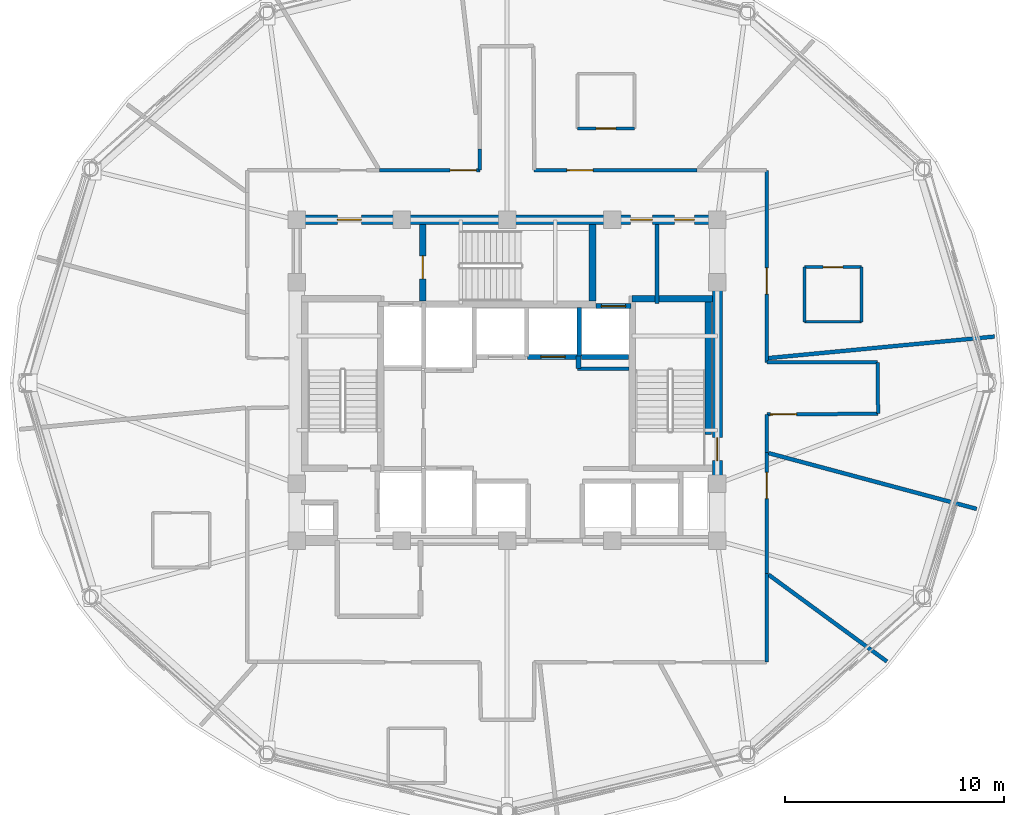
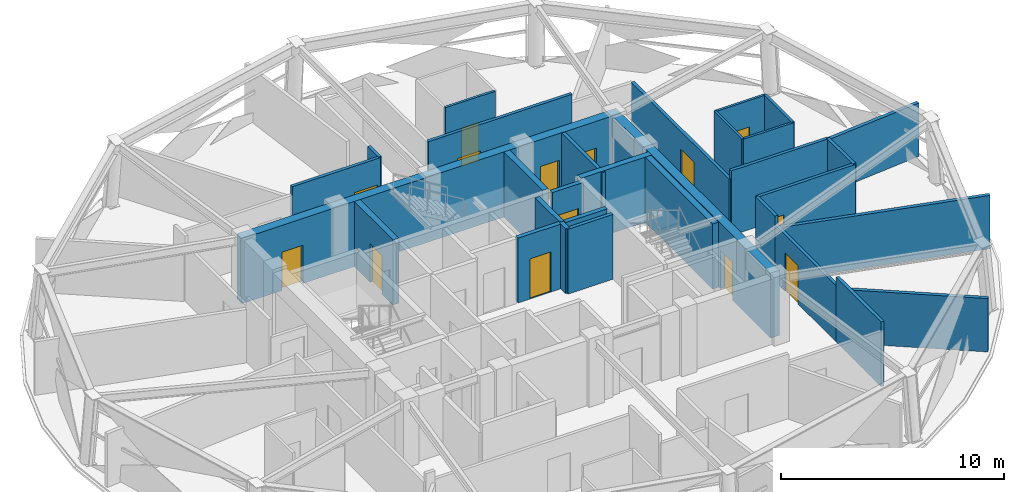
# One storey, part 6 of 11: 31 walls, 14 doors, 14 openings.
"""IFC4 building model written with IfcOpenShell, lengths in metres."""

from ifc_helpers import new_model, si_unit, direction, frame, frame_2d, origin, place, context, subcontext, project, spatial, rectangle, extrude, material, layer, layer_set, type_object, element, fill, save


model = new_model("IFC4")

# Units and contexts
model_context = context("Model", 3, precision=1e-05, world=origin(), true_north=direction((0.0, 1.0)))
body_context = subcontext(model_context, "Body", "Model", "MODEL_VIEW")
ifc_project = project(units=[si_unit("LENGTHUNIT", "METRE"), si_unit("AREAUNIT", "SQUARE_METRE"), si_unit("VOLUMEUNIT", "CUBIC_METRE"), si_unit("PLANEANGLEUNIT", "RADIAN"), si_unit("MASSUNIT", "GRAM", prefix="KILO")], contexts=[model_context])

# Site, building, storey
site_placement = place(None, origin())
site = spatial("IfcSite", under=ifc_project, at=site_placement, CompositionType="ELEMENT")
building_placement = place(site_placement, origin())
building = spatial("IfcBuilding", under=site, at=building_placement, Name="Vantalir Tower", CompositionType="ELEMENT")
storey_placement = place(building_placement, frame((0.0, 0.0, 231.14990234375)))
storey = spatial("IfcBuildingStorey", under=building, at=storey_placement, Name="L58", CompositionType="ELEMENT", Elevation=231.14990234375)

# Wall
ifc_material_1 = material(Name="Moisture-resistant en-suite partition", Category="gypsum")
ifc_layer_1 = layer(ifc_material_1, 0.125)
ifc_layer_set_1 = layer_set([ifc_layer_1], Name="Moisture-resistant en-suite partition")
wall_type_1 = type_object("IfcWallType", Name="WL-BATH-125", PredefinedType="PARTITIONING", material=ifc_layer_set_1)
wall_1_placement = place(storey_placement, frame((45.077880859375, 27.7890625, 0.0), z_axis=(0.0, 0.0, 1.0), x_axis=(1.0, 0.0, 0.0)))
element("IfcWall", 1, at=wall_1_placement, inside=storey, type_object=wall_type_1, Name="L58 En-suite 01 South Wall", PredefinedType="PARTITIONING", context=body_context, shape_type="SweptSolid", body=[
    extrude(rectangle(XDim=2.60009765625, YDim=0.125, at=frame_2d((1.300048828125, 0.0))), origin(), (0.0, 0.0, 1.0), 3.550048828125),
])

# Wall, opening, door
wall_2_placement = place(storey_placement, frame((45.077880859375, 30.2890625, 0.0), z_axis=(0.0, 0.0, 1.0), x_axis=(1.0, 0.0, 0.0)))
wall_2 = element("IfcWall", 2, at=wall_2_placement, inside=storey, type_object=wall_type_1, Name="L58 En-suite 01 North Wall", PredefinedType="PARTITIONING", context=body_context, shape_type="SweptSolid", body=[
    extrude(rectangle(XDim=2.60009765625, YDim=0.125, at=frame_2d((1.300048828125, 0.0))), origin(), (0.0, 0.0, 1.0), 3.550048828125),
])
opening_1_placement = place(wall_2_placement, frame((0.85009765625, 0.0, 0.0)))
opening_1 = element("IfcOpeningElement", 3, at=opening_1_placement, cuts=wall_2, Name="Opening D-WC", PredefinedType="OPENING", context=body_context, shape_type="SweptSolid", body=[
    extrude(rectangle(XDim=0.89990234375, YDim=2.10009765625, at=frame_2d((0.449951171875, 1.050048828125))), frame((0.0, 0.072509765625, 0.0), z_axis=(0.0, -1.0, 0.0), x_axis=(1.0, 0.0, 0.0)), (0.0, 0.0, 1.0), 0.14501953125),
])
ifc_material_2 = material(Name="Moisture-resistant hardwood door", Category="wood")
door_type_1 = type_object("IfcDoorType", Name="DR-ENSUITE-900", OperationType="NOTDEFINED", PredefinedType="DOOR", material=ifc_material_2)
door_1_placement = place(opening_1_placement, frame((0.89990234375, 0.0, 0.0), z_axis=(0.0, 0.0, 1.0), x_axis=(-1.0, 0.0, 0.0)))
door_1 = element("IfcDoor", 4, at=door_1_placement, inside=storey, type_object=door_type_1, Name="L58 En-suite 01 Door", OperationType="SINGLE_SWING_RIGHT", OverallHeight=2.10009765625, OverallWidth=0.89990234375, PredefinedType="DOOR", context=body_context, shape_type="SweptSolid", body=[
    extrude(rectangle(XDim=0.89990234375, YDim=2.10009765625, at=frame_2d((0.449951171875, 1.050048828125))), frame((0.0, 0.02490234375, 0.0), z_axis=(0.0, -1.0, 0.0), x_axis=(1.0, 0.0, 0.0)), (0.0, 0.0, 1.0), 0.050048828125),
])
fill(opening_1, door_1)

# Walls
for number, where, z_axis, x_axis, name in (
    (5, (45.077880859375, 27.7890625, 0.0), (0.0, 0.0, 1.0), (0.0, 1.0, 0.0), "L58 En-suite 01 West Wall"),
    (6, (47.677978515625, 27.7890625, 0.0), (0.0, 0.0, 1.0), (0.0, 1.0, 0.0), "L58 En-suite 01 East Wall"),
):
    element("IfcWall", number, at=place(storey_placement, frame(where, z_axis=z_axis, x_axis=x_axis)), inside=storey, type_object=wall_type_1, Name=name, PredefinedType="PARTITIONING", context=body_context, shape_type="SweptSolid", body=[
        extrude(rectangle(XDim=2.5, YDim=0.125, at=frame_2d((1.25, 0.0))), origin(), (0.0, 0.0, 1.0), 3.550048828125),
    ])

# Wall, opening, door
wall_3_placement = place(storey_placement, frame((34.720947265625, 36.614990234375, 0.0), z_axis=(0.0, 0.0, 1.0), x_axis=(1.0, 0.0, 0.0)))
wall_3 = element("IfcWall", 7, at=wall_3_placement, inside=storey, type_object=wall_type_1, Name="L58 En-suite 02 South Wall", PredefinedType="PARTITIONING", context=body_context, shape_type="SweptSolid", body=[
    extrude(rectangle(XDim=2.60009765625, YDim=0.125, at=frame_2d((1.300048828125, 0.0))), origin(), (0.0, 0.0, 1.0), 3.550048828125),
])
opening_2_placement = place(wall_3_placement, frame((0.85009765625, 0.0, 0.0)))
opening_2 = element("IfcOpeningElement", 8, at=opening_2_placement, cuts=wall_3, Name="Opening D-WC", PredefinedType="OPENING", context=body_context, shape_type="SweptSolid", body=[
    extrude(rectangle(XDim=0.89990234375, YDim=2.10009765625, at=frame_2d((0.449951171875, 1.050048828125))), frame((0.0, 0.072509765625, 0.0), z_axis=(0.0, -1.0, 0.0), x_axis=(1.0, 0.0, 0.0)), (0.0, 0.0, 1.0), 0.14501953125),
])
door_2_placement = place(opening_2_placement, origin())
door_2 = element("IfcDoor", 9, at=door_2_placement, inside=storey, type_object=door_type_1, Name="L58 En-suite 02 Door", OperationType="SINGLE_SWING_LEFT", OverallHeight=2.10009765625, OverallWidth=0.89990234375, PredefinedType="DOOR", context=body_context, shape_type="SweptSolid", body=[
    extrude(rectangle(XDim=0.89990234375, YDim=2.10009765625, at=frame_2d((0.449951171875, 1.050048828125))), frame((0.0, 0.02490234375, 0.0), z_axis=(0.0, -1.0, 0.0), x_axis=(1.0, 0.0, 0.0)), (0.0, 0.0, 1.0), 0.050048828125),
])
fill(opening_2, door_2)

# Wall, openings, doors
ifc_material_3 = material(Name="Concrete C50/60", Category="concrete")
ifc_layer_2 = layer(ifc_material_3, 0.449951171875)
ifc_layer_set_2 = layer_set([ifc_layer_2], Name="Concrete C50/60")
wall_type_2 = type_object("IfcWallType", Name="WL-CORE-450", PredefinedType="SHEAR", material=ifc_layer_set_2)
wall_4_placement = place(storey_placement, frame((21.675048828125, 32.449951171875, 0.0), z_axis=(0.0, 0.0, 1.0), x_axis=(1.0, 0.0, 0.0)))
wall_4 = element("IfcWall", 10, at=wall_4_placement, inside=storey, type_object=wall_type_2, Name="L58 Core Shear Wall North", PredefinedType="SHEAR", context=body_context, shape_type="SweptSolid", body=[
    extrude(rectangle(XDim=19.64990234375, YDim=0.449951171875, at=frame_2d((9.824951171875, 0.0))), origin(), (0.0, 0.0, 1.0), 3.570068359375),
])
opening_3_placement = place(wall_4_placement, frame((2.074951171875, 0.0, 0.0)))
opening_3 = element("IfcOpeningElement", 11, at=opening_3_placement, cuts=wall_4, Name="Opening D-FFL", PredefinedType="OPENING", context=body_context, shape_type="SweptSolid", body=[
    extrude(rectangle(XDim=1.10009765625, YDim=2.10009765625, at=frame_2d((0.550048828125, 1.050048828125))), frame((0.0, 0.23486328125, 0.0), z_axis=(0.0, -1.0, 0.0), x_axis=(1.0, 0.0, 0.0)), (0.0, 0.0, 1.0), 0.469970703125),
])
opening_4_placement = place(wall_4_placement, frame((15.465087890625, 0.0, 0.0)))
opening_4 = element("IfcOpeningElement", 12, at=opening_4_placement, cuts=wall_4, Name="Opening D-GUEST", PredefinedType="OPENING", context=body_context, shape_type="SweptSolid", body=[
    extrude(rectangle(XDim=1.0, YDim=2.10009765625, at=frame_2d((0.5, 1.050048828125))), frame((0.0, 0.23486328125, 0.0), z_axis=(0.0, -1.0, 0.0), x_axis=(1.0, 0.0, 0.0)), (0.0, 0.0, 1.0), 0.469970703125),
])
opening_5_placement = place(wall_4_placement, frame((17.47509765625, 0.0, 0.0)))
opening_5 = element("IfcOpeningElement", 13, at=opening_5_placement, cuts=wall_4, Name="Opening D-CR", PredefinedType="OPENING", context=body_context, shape_type="SweptSolid", body=[
    extrude(rectangle(XDim=0.89990234375, YDim=2.10009765625, at=frame_2d((0.449951171875, 1.050048828125))), frame((0.0, 0.23486328125, 0.0), z_axis=(0.0, -1.0, 0.0), x_axis=(1.0, 0.0, 0.0)), (0.0, 0.0, 1.0), 0.469970703125),
])
ifc_material_4 = material(Name="Fire-rated steel core service door", Category="steel")
door_type_2 = type_object("IfcDoorType", Name="DR-CORE-SERV-900", OperationType="NOTDEFINED", PredefinedType="DOOR", material=ifc_material_4)
door_3_placement = place(opening_5_placement, frame((0.89990234375, 0.0, 0.0), z_axis=(0.0, 0.0, 1.0), x_axis=(-1.0, 0.0, 0.0)))
door_3 = element("IfcDoor", 14, at=door_3_placement, inside=storey, type_object=door_type_2, Name="L58 Housekeeping and Linen Room Door", OperationType="SINGLE_SWING_RIGHT", OverallHeight=2.10009765625, OverallWidth=0.89990234375, PredefinedType="DOOR", context=body_context, shape_type="SweptSolid", body=[
    extrude(rectangle(XDim=0.89990234375, YDim=2.10009765625, at=frame_2d((0.449951171875, 1.050048828125))), frame((0.0, 0.02490234375, 0.0), z_axis=(0.0, -1.0, 0.0), x_axis=(1.0, 0.0, 0.0)), (0.0, 0.0, 1.0), 0.050048828125),
])
fill(opening_5, door_3)
ifc_material_5 = material(Name="Fire-rated acoustic steel door", Category="steel")
door_type_3 = type_object("IfcDoorType", Name="DR-FIRE-LOBBY-1100", OperationType="NOTDEFINED", PredefinedType="DOOR", material=ifc_material_5)
door_4_placement = place(opening_3_placement, frame((1.10009765625, 0.0, 0.0), z_axis=(0.0, 0.0, 1.0), x_axis=(-1.0, 0.0, 0.0)))
door_4 = element("IfcDoor", 15, at=door_4_placement, inside=storey, type_object=door_type_3, Name="L58 Firefighting Lobby East Access Door", OperationType="SINGLE_SWING_RIGHT", OverallHeight=2.10009765625, OverallWidth=1.10009765625, PredefinedType="DOOR", context=body_context, shape_type="SweptSolid", body=[
    extrude(rectangle(XDim=1.10009765625, YDim=2.10009765625, at=frame_2d((0.550048828125, 1.050048828125))), frame((0.0, 0.02490234375, 0.0), z_axis=(0.0, -1.0, 0.0), x_axis=(1.0, 0.0, 0.0)), (0.0, 0.0, 1.0), 0.050048828125),
])
fill(opening_3, door_4)
ifc_material_6 = material(Name="Solid-core teak veneer acoustic fire door", Category="wood")
door_type_4 = type_object("IfcDoorType", Name="DR-GUEST-ENTRY-1000", OperationType="NOTDEFINED", PredefinedType="DOOR", material=ifc_material_6)
door_5_placement = place(opening_4_placement, frame((1.0, 0.0, 0.0), z_axis=(0.0, 0.0, 1.0), x_axis=(-1.0, 0.0, 0.0)))
door_5 = element("IfcDoor", 16, at=door_5_placement, inside=storey, type_object=door_type_4, Name="L58 High-Rise Lift Lobby Door", OperationType="SINGLE_SWING_LEFT", OverallHeight=2.10009765625, OverallWidth=1.0, PredefinedType="DOOR", context=body_context, shape_type="SweptSolid", body=[
    extrude(rectangle(XDim=1.0, YDim=2.10009765625, at=frame_2d((0.5, 1.050048828125))), frame((0.0, 0.02490234375, 0.0), z_axis=(0.0, -1.0, 0.0), x_axis=(1.0, 0.0, 0.0)), (0.0, 0.0, 1.0), 0.050048828125),
])
fill(opening_4, door_5)

# Wall, opening, door
wall_5_placement = place(storey_placement, frame((41.10009765625, 18.02490234375, 0.0), z_axis=(0.0, 0.0, 1.0), x_axis=(0.0, 1.0, 0.0)))
wall_5 = element("IfcWall", 17, at=wall_5_placement, inside=storey, type_object=wall_type_2, Name="L58 Core Shear Wall East", PredefinedType="SHEAR", context=body_context, shape_type="SweptSolid", body=[
    extrude(rectangle(XDim=14.2001953125, YDim=0.449951171875, at=frame_2d((7.10009765625, 0.0))), origin(), (0.0, 0.0, 1.0), 3.570068359375),
])
opening_6_placement = place(wall_5_placement, frame((3.43505859375, 0.0, 0.0)))
opening_6 = element("IfcOpeningElement", 18, at=opening_6_placement, cuts=wall_5, Name="Opening D-ST", PredefinedType="OPENING", context=body_context, shape_type="SweptSolid", body=[
    extrude(rectangle(XDim=1.050048828125, YDim=2.10009765625, at=frame_2d((0.52490234375, 1.050048828125))), frame((0.0, 0.23486328125, 0.0), z_axis=(0.0, -1.0, 0.0), x_axis=(1.0, 0.0, 0.0)), (0.0, 0.0, 1.0), 0.469970703125),
])
ifc_material_7 = material(Name="Fire-rated steel door leaf", Category="steel")
door_type_5 = type_object("IfcDoorType", Name="DR-FIRE-STAIR-1050", OperationType="NOTDEFINED", PredefinedType="DOOR", material=ifc_material_7)
door_6_placement = place(opening_6_placement, origin())
door_6 = element("IfcDoor", 19, at=door_6_placement, inside=storey, type_object=door_type_5, Name="L58 Exit Stair ST2 Fire Door", OperationType="SINGLE_SWING_LEFT", OverallHeight=2.10009765625, OverallWidth=1.050048828125, PredefinedType="DOOR", context=body_context, shape_type="SweptSolid", body=[
    extrude(rectangle(XDim=1.050048828125, YDim=2.10009765625, at=frame_2d((0.52490234375, 1.050048828125))), frame((0.0, 0.02490234375, 0.0), z_axis=(0.0, -1.0, 0.0), x_axis=(1.0, 0.0, 0.0)), (0.0, 0.0, 1.0), 0.050048828125),
])
fill(opening_6, door_6)

ifc_material_8 = material(Name="Fire-rated hotel corridor acoustic partition", Category="gypsum")
ifc_layer_3 = layer(ifc_material_8, 0.159912109375)
ifc_layer_set_3 = layer_set([ifc_layer_3], Name="Fire-rated hotel corridor acoustic partition")
wall_type_3 = type_object("IfcWallType", Name="WL-CORR-160", PredefinedType="PARTITIONING", material=ifc_layer_set_3)
wall_6_placement = place(storey_placement, frame((25.677978515625, 34.708984375, 0.0), z_axis=(0.0, 0.0, 1.0), x_axis=(0.999999112817, 0.001332053379, 0.0)))
wall_6 = element("IfcWall", 20, at=wall_6_placement, inside=storey, type_object=wall_type_3, Name="L58 Corridor Partition 06", PredefinedType="PARTITIONING", context=body_context, shape_type="SweptSolid", body=[
    extrude(rectangle(XDim=4.58203125, YDim=0.159912109375, at=frame_2d((2.291015625, 0.0))), origin(), (0.0, 0.0, 1.0), 3.550048828125),
])
opening_7_placement = place(wall_6_placement, frame((3.221923828125, 0.0, 0.0)))
opening_7 = element("IfcOpeningElement", 21, at=opening_7_placement, cuts=wall_6, Name="Opening D-STE", PredefinedType="OPENING", context=body_context, shape_type="SweptSolid", body=[
    extrude(rectangle(XDim=1.199951171875, YDim=2.10009765625, at=frame_2d((0.60009765625, 1.050048828125))), frame((0.0, 0.08984375, 0.0), z_axis=(0.0, -1.0, 0.0), x_axis=(1.0, 0.0, 0.0)), (0.0, 0.0, 1.0), 0.179931640625),
])
ifc_material_9 = material(Name="Solid-core teak veneer suite entrance door", Category="wood")
door_type_6 = type_object("IfcDoorType", Name="DR-SUITE-ENTRY-1200", OperationType="NOTDEFINED", PredefinedType="DOOR", material=ifc_material_9)
door_7_placement = place(opening_7_placement, origin())
door_7 = element("IfcDoor", 22, at=door_7_placement, inside=storey, type_object=door_type_6, Name="L58 Club Reading Lounge 03 Door", OperationType="SINGLE_SWING_LEFT", OverallHeight=2.10009765625, OverallWidth=1.199951171875, PredefinedType="DOOR", context=body_context, shape_type="SweptSolid", body=[
    extrude(rectangle(XDim=1.199951171875, YDim=2.10009765625, at=frame_2d((0.60009765625, 1.050048828125))), frame((0.0, 0.02490234375, 0.0), z_axis=(0.0, -1.0, 0.0), x_axis=(1.0, 0.0, 0.0)), (0.0, 0.0, 1.0), 0.050048828125),
])
fill(opening_7, door_7)

# Wall
wall_7_placement = place(storey_placement, frame((30.260009765625, 34.715087890625, 0.0), z_axis=(0.0, 0.0, 1.0), x_axis=(0.001014198261, 0.999999485701, 0.0)))
element("IfcWall", 23, at=wall_7_placement, inside=storey, type_object=wall_type_3, Name="L58 Corridor Partition 07", PredefinedType="PARTITIONING", context=body_context, shape_type="SweptSolid", body=[
    extrude(rectangle(XDim=0.962890625, YDim=0.159912109375, at=frame_2d((0.4814453125, 0.0))), origin(), (0.0, 0.0, 1.0), 3.550048828125),
])

# Wall, opening, door
wall_8_placement = place(storey_placement, frame((32.739990234375, 34.715087890625, 0.0), z_axis=(0.0, 0.0, 1.0), x_axis=(0.999999413829, -0.001082747577, 0.0)))
wall_8 = element("IfcWall", 24, at=wall_8_placement, inside=storey, type_object=wall_type_3, Name="L58 Corridor Partition 11", PredefinedType="PARTITIONING", context=body_context, shape_type="SweptSolid", body=[
    extrude(rectangle(XDim=7.44091796875, YDim=0.159912109375, at=frame_2d((3.720458984375, 0.0))), origin(), (0.0, 0.0, 1.0), 3.550048828125),
])
opening_8_placement = place(wall_8_placement, frame((1.491943359375, 0.0, 0.0)))
opening_8 = element("IfcOpeningElement", 25, at=opening_8_placement, cuts=wall_8, Name="Opening D-STE", PredefinedType="OPENING", context=body_context, shape_type="SweptSolid", body=[
    extrude(rectangle(XDim=1.199951171875, YDim=2.10009765625, at=frame_2d((0.60009765625, 1.050048828125))), frame((0.0, 0.08984375, 0.0), z_axis=(0.0, -1.0, 0.0), x_axis=(1.0, 0.0, 0.0)), (0.0, 0.0, 1.0), 0.179931640625),
])
door_8_placement = place(opening_8_placement, origin())
door_8 = element("IfcDoor", 26, at=door_8_placement, inside=storey, type_object=door_type_6, Name="L58 Executive Club Hotel Suite 02 Door", OperationType="SINGLE_SWING_RIGHT", OverallHeight=2.10009765625, OverallWidth=1.199951171875, PredefinedType="DOOR", context=body_context, shape_type="SweptSolid", body=[
    extrude(rectangle(XDim=1.199951171875, YDim=2.10009765625, at=frame_2d((0.60009765625, 1.050048828125))), frame((0.0, 0.02490234375, 0.0), z_axis=(0.0, -1.0, 0.0), x_axis=(1.0, 0.0, 0.0)), (0.0, 0.0, 1.0), 0.050048828125),
])
fill(opening_8, door_8)

wall_9_placement = place(storey_placement, frame((43.35302734375, 34.702880859375, 0.0), z_axis=(0.0, 0.0, 1.0), x_axis=(0.001365167424, -0.999999068159, 0.0)))
wall_9 = element("IfcWall", 27, at=wall_9_placement, inside=storey, type_object=wall_type_3, Name="L58 Corridor Partition 13", PredefinedType="PARTITIONING", context=body_context, shape_type="SweptSolid", body=[
    extrude(rectangle(XDim=8.762939453125, YDim=0.159912109375, at=frame_2d((4.38134765625, 0.0))), origin(), (0.0, 0.0, 1.0), 3.0810546875),
])
opening_9_placement = place(wall_9_placement, frame((4.447021484375, 0.0, 0.0)))
opening_9 = element("IfcOpeningElement", 28, at=opening_9_placement, cuts=wall_9, Name="Opening D-STE", PredefinedType="OPENING", context=body_context, shape_type="SweptSolid", body=[
    extrude(rectangle(XDim=1.199951171875, YDim=2.10009765625, at=frame_2d((0.60009765625, 1.050048828125))), frame((0.0, 0.08984375, 0.0), z_axis=(0.0, -1.0, 0.0), x_axis=(1.0, 0.0, 0.0)), (0.0, 0.0, 1.0), 0.179931640625),
])
door_9_placement = place(opening_9_placement, origin())
door_9 = element("IfcDoor", 29, at=door_9_placement, inside=storey, type_object=door_type_6, Name="L58 Corner Panorama Hotel Suite 01 Door", OperationType="SINGLE_SWING_LEFT", OverallHeight=2.10009765625, OverallWidth=1.199951171875, PredefinedType="DOOR", context=body_context, shape_type="SweptSolid", body=[
    extrude(rectangle(XDim=1.199951171875, YDim=2.10009765625, at=frame_2d((0.60009765625, 1.050048828125))), frame((0.0, 0.02490234375, 0.0), z_axis=(0.0, -1.0, 0.0), x_axis=(1.0, 0.0, 0.0)), (0.0, 0.0, 1.0), 0.050048828125),
])
fill(opening_9, door_9)

# Walls
wall_10_placement = place(storey_placement, frame((43.364990234375, 25.93994140625, 0.0), z_axis=(0.0, 0.0, 1.0), x_axis=(0.999999831724, -0.000580130432, 0.0)))
element("IfcWall", 30, at=wall_10_placement, inside=storey, type_object=wall_type_3, Name="L58 Corridor Partition 14", PredefinedType="PARTITIONING", context=body_context, shape_type="SweptSolid", body=[
    extrude(rectangle(XDim=5.050048828125, YDim=0.159912109375, at=frame_2d((2.52490234375, 0.0))), origin(), (0.0, 0.0, 1.0), 3.550048828125),
])
wall_11_placement = place(storey_placement, frame((48.4150390625, 25.93701171875, 0.0), z_axis=(0.0, 0.0, 1.0), x_axis=(0.010636586698, -0.999943429912, 0.0)))
element("IfcWall", 31, at=wall_11_placement, inside=storey, type_object=wall_type_3, Name="L58 Corridor Partition 15", PredefinedType="PARTITIONING", context=body_context, shape_type="SweptSolid", body=[
    extrude(rectangle(XDim=2.34130859375, YDim=0.159912109375, at=frame_2d((1.170654296875, 0.0))), origin(), (0.0, 0.0, 1.0), 3.550048828125),
])

# Wall, opening, door
wall_12_placement = place(storey_placement, frame((48.43994140625, 23.595947265625, 0.0), z_axis=(0.0, 0.0, 1.0), x_axis=(-0.999974996273, -0.007071550702, 0.0)))
wall_12 = element("IfcWall", 32, at=wall_12_placement, inside=storey, type_object=wall_type_3, Name="L58 Corridor Partition 16", PredefinedType="PARTITIONING", context=body_context, shape_type="SweptSolid", body=[
    extrude(rectangle(XDim=5.0751953125, YDim=0.159912109375, at=frame_2d((2.53759765625, 0.0))), origin(), (0.0, 0.0, 1.0), 3.550048828125),
])
opening_10_placement = place(wall_12_placement, frame((3.715087890625, 0.0, 0.0)))
opening_10 = element("IfcOpeningElement", 33, at=opening_10_placement, cuts=wall_12, Name="Opening D-STE", PredefinedType="OPENING", context=body_context, shape_type="SweptSolid", body=[
    extrude(rectangle(XDim=1.199951171875, YDim=2.10009765625, at=frame_2d((0.60009765625, 1.050048828125))), frame((0.0, 0.08984375, 0.0), z_axis=(0.0, -1.0, 0.0), x_axis=(1.0, 0.0, 0.0)), (0.0, 0.0, 1.0), 0.179931640625),
])
door_10_placement = place(opening_10_placement, origin())
door_10 = element("IfcDoor", 34, at=door_10_placement, inside=storey, type_object=door_type_6, Name="L58 Executive Sky Boardroom 12 Door", OperationType="SINGLE_SWING_RIGHT", OverallHeight=2.10009765625, OverallWidth=1.199951171875, PredefinedType="DOOR", context=body_context, shape_type="SweptSolid", body=[
    extrude(rectangle(XDim=1.199951171875, YDim=2.10009765625, at=frame_2d((0.60009765625, 1.050048828125))), frame((0.0, 0.02490234375, 0.0), z_axis=(0.0, -1.0, 0.0), x_axis=(1.0, 0.0, 0.0)), (0.0, 0.0, 1.0), 0.050048828125),
])
fill(opening_10, door_10)

# Wall
wall_13_placement = place(storey_placement, frame((43.364990234375, 23.56005859375, 0.0), z_axis=(0.0, 0.0, 1.0), x_axis=(-0.001121232652, -0.999999371418, 0.0)))
element("IfcWall", 35, at=wall_13_placement, inside=storey, type_object=wall_type_3, Name="L58 Corridor Partition 17", PredefinedType="PARTITIONING", context=body_context, shape_type="SweptSolid", body=[
    extrude(rectangle(XDim=1.741943359375, YDim=0.159912109375, at=frame_2d((0.87109375, 0.0))), origin(), (0.0, 0.0, 1.0), 3.550048828125),
])

# Wall, opening, door
wall_14_placement = place(storey_placement, frame((43.363037109375, 21.818115234375, 0.0), z_axis=(0.0, 0.0, 1.0), x_axis=(-0.001284662712, -0.999999174821, 0.0)))
wall_14 = element("IfcWall", 36, at=wall_14_placement, inside=storey, type_object=wall_type_3, Name="L58 Corridor Partition 18", PredefinedType="PARTITIONING", context=body_context, shape_type="SweptSolid", body=[
    extrude(rectangle(XDim=5.51123046875, YDim=0.159912109375, at=frame_2d((2.755615234375, 0.0))), origin(), (0.0, 0.0, 1.0), 3.0810546875),
])
opening_11_placement = place(wall_14_placement, frame((0.89892578125, 0.0, 0.0)))
opening_11 = element("IfcOpeningElement", 37, at=opening_11_placement, cuts=wall_14, Name="Opening D-STE", PredefinedType="OPENING", context=body_context, shape_type="SweptSolid", body=[
    extrude(rectangle(XDim=1.199951171875, YDim=2.10009765625, at=frame_2d((0.60009765625, 1.050048828125))), frame((0.0, 0.08984375, 0.0), z_axis=(0.0, -1.0, 0.0), x_axis=(1.0, 0.0, 0.0)), (0.0, 0.0, 1.0), 0.179931640625),
])
door_11_placement = place(opening_11_placement, origin())
door_11 = element("IfcDoor", 38, at=door_11_placement, inside=storey, type_object=door_type_6, Name="L58 Club Reading Lounge 11 Door", OperationType="SINGLE_SWING_LEFT", OverallHeight=2.10009765625, OverallWidth=1.199951171875, PredefinedType="DOOR", context=body_context, shape_type="SweptSolid", body=[
    extrude(rectangle(XDim=1.199951171875, YDim=2.10009765625, at=frame_2d((0.60009765625, 1.050048828125))), frame((0.0, 0.02490234375, 0.0), z_axis=(0.0, -1.0, 0.0), x_axis=(1.0, 0.0, 0.0)), (0.0, 0.0, 1.0), 0.050048828125),
])
fill(opening_11, door_11)

# Walls
wall_15_placement = place(storey_placement, frame((43.35595703125, 16.306884765625, 0.0), z_axis=(0.0, 0.0, 1.0), x_axis=(-0.001447525625, -0.999998952334, 0.0)))
element("IfcWall", 39, at=wall_15_placement, inside=storey, type_object=wall_type_3, Name="L58 Corridor Partition 19", PredefinedType="PARTITIONING", context=body_context, shape_type="SweptSolid", body=[
    extrude(rectangle(XDim=4.0478515625, YDim=0.159912109375, at=frame_2d((2.02392578125, 0.0))), origin(), (0.0, 0.0, 1.0), 3.550048828125),
])
ifc_material_10 = material(Name="Concrete blockwork with fireboard lining", Category="masonry")
ifc_layer_4 = layer(ifc_material_10, 0.219970703125)
ifc_layer_set_4 = layer_set([ifc_layer_4], Name="Concrete blockwork with fireboard lining")
wall_type_4 = type_object("IfcWallType", Name="WL-FFL-220", PredefinedType="PARTITIONING", material=ifc_layer_set_4)
wall_16_placement = place(storey_placement, frame((34.800048828125, 26.22998046875, 0.0), z_axis=(0.0, 0.0, 1.0), x_axis=(0.0, 1.0, 0.0)))
element("IfcWall", 40, at=wall_16_placement, inside=storey, type_object=wall_type_4, Name="L58 High-Rise Lift PL-H2/H3 Shaft Divider", PredefinedType="PARTITIONING", context=body_context, shape_type="SweptSolid", body=[
    extrude(rectangle(XDim=2.2099609375, YDim=0.219970703125, at=frame_2d((1.10498046875, 0.0))), origin(), (0.0, 0.0, 1.0), 3.545166015625),
])
wall_17_placement = place(storey_placement, frame((34.909912109375, 26.18994140625, 0.0), z_axis=(0.0, 0.0, 1.0), x_axis=(1.0, 0.0, 0.0)))
element("IfcWall", 41, at=wall_17_placement, inside=storey, type_object=wall_type_4, Name="L58 High-Rise Lift PL-H3 Rear Shaft Wall", PredefinedType="PARTITIONING", context=body_context, shape_type="SweptSolid", body=[
    extrude(rectangle(XDim=2.14013671875, YDim=0.219970703125, at=frame_2d((1.070068359375, 0.0))), origin(), (0.0, 0.0, 1.0), 3.545166015625),
])

# Wall, opening, door
wall_18_placement = place(storey_placement, frame((32.43994140625, 26.18994140625, 0.0), z_axis=(0.0, 0.0, 1.0), x_axis=(1.0, 0.0, 0.0)))
wall_18 = element("IfcWall", 42, at=wall_18_placement, inside=storey, type_object=wall_type_4, Name="L58 Lift PL-H2 Shaft Front Wall", PredefinedType="PARTITIONING", context=body_context, shape_type="SweptSolid", body=[
    extrude(rectangle(XDim=2.320068359375, YDim=0.219970703125, at=frame_2d((1.16015625, 0.0))), origin(), (0.0, 0.0, 1.0), 3.550048828125),
])
opening_12_placement = place(wall_18_placement, frame((0.610107421875, 0.0, 0.0)))
opening_12 = element("IfcOpeningElement", 43, at=opening_12_placement, cuts=wall_18, Name="Opening LD-PL-H2", PredefinedType="OPENING", context=body_context, shape_type="SweptSolid", body=[
    extrude(rectangle(XDim=1.10009765625, YDim=2.199951171875, at=frame_2d((0.550048828125, 1.10009765625))), frame((0.0, 0.119873046875, 0.0), z_axis=(0.0, -1.0, 0.0), x_axis=(1.0, 0.0, 0.0)), (0.0, 0.0, 1.0), 0.239990234375),
])
ifc_material_11 = material(Name="Brushed stainless-steel sliding lift landing door", Category="steel")
door_type_7 = type_object("IfcDoorType", Name="DR-LIFT-LANDING-1100", OperationType="DOUBLE_DOOR_SLIDING", PredefinedType="DOOR", material=ifc_material_11)
door_12_placement = place(opening_12_placement, frame((1.10009765625, 0.0, 0.0), z_axis=(0.0, 0.0, 1.0), x_axis=(-1.0, 0.0, 0.0)))
door_12 = element("IfcDoor", 44, at=door_12_placement, inside=storey, type_object=door_type_7, Name="L58 Lift Landing Door PL-H2", OperationType="DOUBLE_DOOR_SLIDING", OverallHeight=2.199951171875, OverallWidth=1.10009765625, PredefinedType="DOOR", context=body_context, shape_type="SweptSolid", body=[
    extrude(rectangle(XDim=1.10009765625, YDim=2.199951171875, at=frame_2d((0.550048828125, 1.10009765625))), frame((0.0, 0.02490234375, 0.0), z_axis=(0.0, -1.0, 0.0), x_axis=(1.0, 0.0, 0.0)), (0.0, 0.0, 1.0), 0.050048828125),
])
fill(opening_12, door_12)

wall_19_placement = place(storey_placement, frame((35.56005859375, 28.510009765625, 0.0), z_axis=(0.0, 0.0, 1.0), x_axis=(1.0, 0.0, 0.0)))
wall_19 = element("IfcWall", 45, at=wall_19_placement, inside=storey, type_object=wall_type_4, Name="L58 Lift PL-H3 Shaft Front Wall", PredefinedType="PARTITIONING", context=body_context, shape_type="SweptSolid", body=[
    extrude(rectangle(XDim=1.599853515625, YDim=0.219970703125, at=frame_2d((0.7998046875, 0.0))), origin(), (0.0, 0.0, 1.0), 3.550048828125),
])
opening_13_placement = place(wall_19_placement, frame((0.25, 0.0, 0.0)))
opening_13 = element("IfcOpeningElement", 46, at=opening_13_placement, cuts=wall_19, Name="Opening LD-PL-H3", PredefinedType="OPENING", context=body_context, shape_type="SweptSolid", body=[
    extrude(rectangle(XDim=1.10009765625, YDim=2.199951171875, at=frame_2d((0.550048828125, 1.10009765625))), frame((0.0, 0.119873046875, 0.0), z_axis=(0.0, -1.0, 0.0), x_axis=(1.0, 0.0, 0.0)), (0.0, 0.0, 1.0), 0.239990234375),
])
door_13_placement = place(opening_13_placement, origin())
door_13 = element("IfcDoor", 47, at=door_13_placement, inside=storey, type_object=door_type_7, Name="L58 Lift Landing Door PL-H3", OperationType="DOUBLE_DOOR_SLIDING", OverallHeight=2.199951171875, OverallWidth=1.10009765625, PredefinedType="DOOR", context=body_context, shape_type="SweptSolid", body=[
    extrude(rectangle(XDim=1.10009765625, YDim=2.199951171875, at=frame_2d((0.550048828125, 1.10009765625))), frame((0.0, 0.02490234375, 0.0), z_axis=(0.0, -1.0, 0.0), x_axis=(1.0, 0.0, 0.0)), (0.0, 0.0, 1.0), 0.050048828125),
])
fill(opening_13, door_13)

# Walls
wall_20_placement = place(storey_placement, frame((34.760009765625, 25.64990234375, 0.0), z_axis=(0.0, 0.0, 1.0), x_axis=(0.0, 1.0, 0.0)))
element("IfcWall", 48, at=wall_20_placement, inside=storey, type_object=wall_type_4, Name="L58 High-Rise Shaft Shoulder Wall", PredefinedType="PARTITIONING", context=body_context, shape_type="SweptSolid", body=[
    extrude(rectangle(XDim=0.570068359375, YDim=0.219970703125, at=frame_2d((0.28515625, 0.0))), origin(), (0.0, 0.0, 1.0), 3.550048828125),
])
ifc_material_12 = material(Name="Twin-stud acoustic fire-rated gypsum partition", Category="gypsum")
ifc_layer_5 = layer(ifc_material_12, 0.179931640625)
ifc_layer_set_5 = layer_set([ifc_layer_5], Name="Twin-stud acoustic fire-rated gypsum partition")
wall_type_5 = type_object("IfcWallType", Name="WL-GUEST-180", PredefinedType="PARTITIONING", material=ifc_layer_set_5)
wall_21_placement = place(storey_placement, frame((34.719970703125, 25.64990234375, 0.0), z_axis=(0.0, 0.0, 1.0), x_axis=(1.0, 0.0, 0.0)))
element("IfcWall", 49, at=wall_21_placement, inside=storey, type_object=wall_type_5, Name="L58 Freed East Core North Wall", PredefinedType="PARTITIONING", context=body_context, shape_type="SweptSolid", body=[
    extrude(rectangle(XDim=2.340087890625, YDim=0.179931640625, at=frame_2d((1.169921875, 0.0))), origin(), (0.0, 0.0, 1.0), 3.550048828125),
])
wall_22_placement = place(storey_placement, frame((38.340087890625, 28.6201171875, 0.0), z_axis=(0.0, 0.0, 1.0), x_axis=(0.0, 1.0, 0.0)))
element("IfcWall", 50, at=wall_22_placement, inside=storey, type_object=wall_type_5, Name="L58 High-Rise Lift Lobby East Wall", PredefinedType="PARTITIONING", context=body_context, shape_type="SweptSolid", body=[
    extrude(rectangle(XDim=3.60498046875, YDim=0.179931640625, at=frame_2d((1.802490234375, 0.0))), origin(), (0.0, 0.0, 1.0), 3.550048828125),
])
wall_23_placement = place(storey_placement, frame((43.43994140625, 26.135986328125, 0.0), z_axis=(0.0, 0.0, 1.0), x_axis=(0.995499495789, 0.094766839575, 0.0)))
element("IfcWall", 51, at=wall_23_placement, inside=storey, type_object=wall_type_5, Name="L58 Radial Suite Partition 01", PredefinedType="PARTITIONING", context=body_context, shape_type="SweptSolid", body=[
    extrude(rectangle(XDim=10.361572265625, YDim=0.179931640625, at=frame_2d((5.1806640625, 0.0))), origin(), (0.0, 0.0, 1.0), 2.925048828125),
])
wall_24_placement = place(storey_placement, frame((43.43994140625, 16.2451171875, 0.0), z_axis=(0.0, 0.0, 1.0), x_axis=(0.806449032178, -0.591303609409, 0.0)))
element("IfcWall", 52, at=wall_24_placement, inside=storey, type_object=wall_type_5, Name="L58 Radial Suite Partition 11", PredefinedType="PARTITIONING", context=body_context, shape_type="SweptSolid", body=[
    extrude(rectangle(XDim=6.697509765625, YDim=0.179931640625, at=frame_2d((3.3486328125, 0.0))), origin(), (0.0, 0.0, 1.0), 2.925048828125),
])
wall_25_placement = place(storey_placement, frame((43.43994140625, 21.797119140625, 0.0), z_axis=(0.0, 0.0, 1.0), x_axis=(0.96588509942, -0.25897099204, 0.0)))
element("IfcWall", 53, at=wall_25_placement, inside=storey, type_object=wall_type_5, Name="L58 Radial Suite Partition 12", PredefinedType="PARTITIONING", context=body_context, shape_type="SweptSolid", body=[
    extrude(rectangle(XDim=9.83544921875, YDim=0.179931640625, at=frame_2d((4.917724609375, 0.0))), origin(), (0.0, 0.0, 1.0), 2.925048828125),
])
ifc_layer_6 = layer(ifc_material_3, 0.300048828125)
ifc_layer_set_6 = layer_set([ifc_layer_6], Name="Concrete C50/60")
wall_type_6 = type_object("IfcWallType", Name="WL-STAIR-300", PredefinedType="SHEAR", material=ifc_layer_set_6)
wall_26_placement = place(storey_placement, frame((37.2099609375, 28.85009765625, 0.0), z_axis=(0.0, 0.0, 1.0), x_axis=(1.0, 0.0, 0.0)))
element("IfcWall", 54, at=wall_26_placement, inside=storey, type_object=wall_type_6, Name="L58 Stair ST2 North Wall", PredefinedType="SHEAR", context=body_context, shape_type="SweptSolid", body=[
    extrude(rectangle(XDim=3.6650390625, YDim=0.300048828125, at=frame_2d((1.83251953125, 0.0))), origin(), (0.0, 0.0, 1.0), 3.570068359375),
])
wall_27_placement = place(storey_placement, frame((40.68994140625, 22.64990234375, 0.0), z_axis=(0.0, 0.0, 1.0), x_axis=(0.0, 1.0, 0.0)))
element("IfcWall", 55, at=wall_27_placement, inside=storey, type_object=wall_type_6, Name="L58 Stair ST2 East Liner Wall", PredefinedType="SHEAR", context=body_context, shape_type="SweptSolid", body=[
    extrude(rectangle(XDim=6.2001953125, YDim=0.300048828125, at=frame_2d((3.10009765625, 0.0))), origin(), (0.0, 0.0, 1.0), 3.570068359375),
])

# Wall, opening, door
wall_28_placement = place(storey_placement, frame((27.64990234375, 28.75, 0.0), z_axis=(0.0, 0.0, 1.0), x_axis=(0.0, 1.0, 0.0)))
wall_28 = element("IfcWall", 56, at=wall_28_placement, inside=storey, type_object=wall_type_6, Name="L58 Stair ST3 West Wall", PredefinedType="SHEAR", context=body_context, shape_type="SweptSolid", body=[
    extrude(rectangle(XDim=3.47509765625, YDim=0.300048828125, at=frame_2d((1.737548828125, 0.0))), origin(), (0.0, 0.0, 1.0), 3.570068359375),
])
opening_14_placement = place(wall_28_placement, frame((1.0, 0.0, 0.0)))
opening_14 = element("IfcOpeningElement", 57, at=opening_14_placement, cuts=wall_28, Name="Opening D-ST", PredefinedType="OPENING", context=body_context, shape_type="SweptSolid", body=[
    extrude(rectangle(XDim=1.050048828125, YDim=2.10009765625, at=frame_2d((0.52490234375, 1.050048828125))), frame((0.0, 0.159912109375, 0.0), z_axis=(0.0, -1.0, 0.0), x_axis=(1.0, 0.0, 0.0)), (0.0, 0.0, 1.0), 0.320068359375),
])
door_14_placement = place(opening_14_placement, frame((1.050048828125, 0.0, 0.0), z_axis=(0.0, 0.0, 1.0), x_axis=(-1.0, 0.0, 0.0)))
door_14 = element("IfcDoor", 58, at=door_14_placement, inside=storey, type_object=door_type_5, Name="L58 Exit Stair ST3 Fire Door", OperationType="SINGLE_SWING_LEFT", OverallHeight=2.10009765625, OverallWidth=1.050048828125, PredefinedType="DOOR", context=body_context, shape_type="SweptSolid", body=[
    extrude(rectangle(XDim=1.050048828125, YDim=2.10009765625, at=frame_2d((0.52490234375, 1.050048828125))), frame((0.0, 0.02490234375, 0.0), z_axis=(0.0, -1.0, 0.0), x_axis=(1.0, 0.0, 0.0)), (0.0, 0.0, 1.0), 0.050048828125),
])
fill(opening_14, door_14)

# Wall
wall_29_placement = place(storey_placement, frame((35.39990234375, 28.75, 0.0), z_axis=(0.0, 0.0, 1.0), x_axis=(0.0, 1.0, 0.0)))
element("IfcWall", 59, at=wall_29_placement, inside=storey, type_object=wall_type_6, Name="L58 Stair ST3 East Wall", PredefinedType="SHEAR", context=body_context, shape_type="SweptSolid", body=[
    extrude(rectangle(XDim=3.47509765625, YDim=0.300048828125, at=frame_2d((1.737548828125, 0.0))), origin(), (0.0, 0.0, 1.0), 3.570068359375),
])

save(model, "model.ifc")
